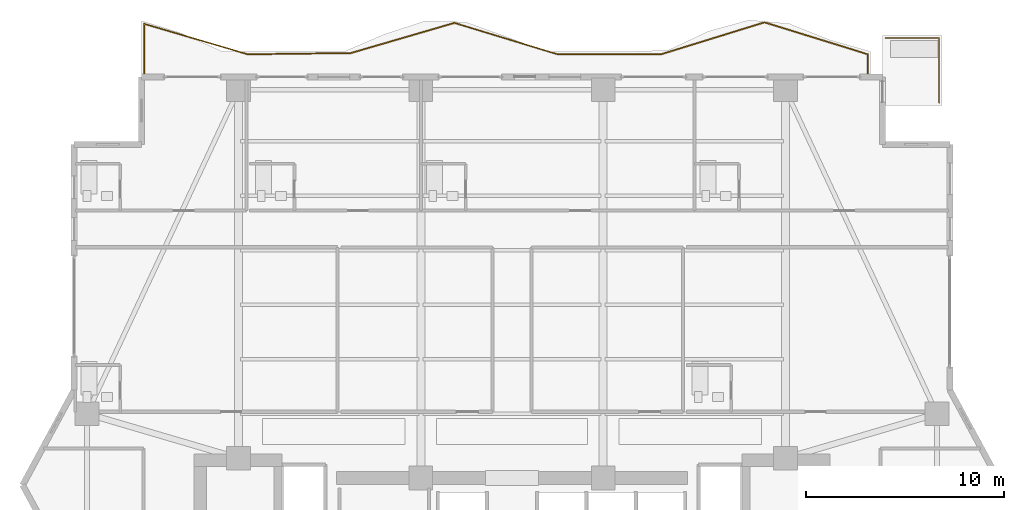
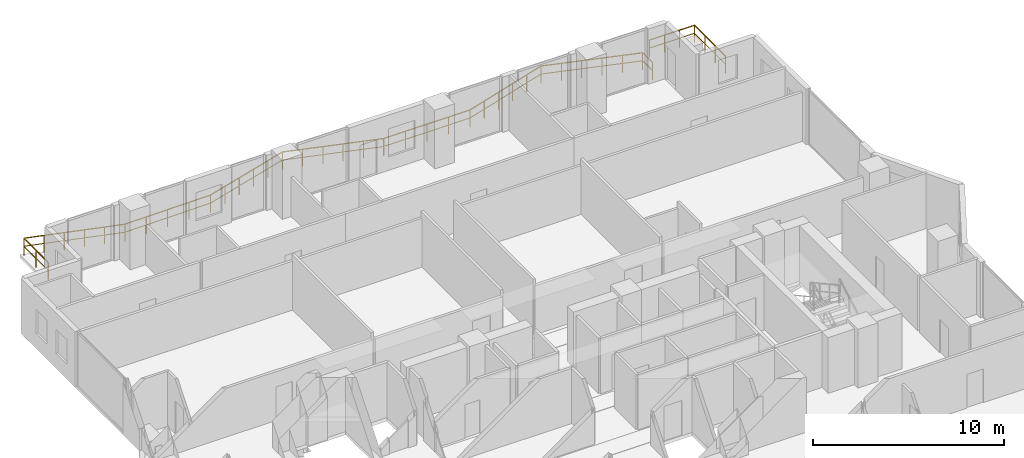
# One storey, part 32 of 33: 2 railings.
"""IFC4 building model written with IfcOpenShell, lengths in metres."""

from ifc_helpers import new_model, si_unit, direction, frame, origin, origin_2d, place, context, subcontext, project, spatial, rectangle, extrude, material, type_object, element, save


model = new_model("IFC4")

# Units and contexts
model_context = context("Model", 3, precision=1e-05, world=origin(), true_north=direction((0.0, 1.0)))
body_context = subcontext(model_context, "Body", "Model", "MODEL_VIEW")
ifc_project = project(units=[si_unit("LENGTHUNIT", "METRE"), si_unit("AREAUNIT", "SQUARE_METRE"), si_unit("VOLUMEUNIT", "CUBIC_METRE"), si_unit("PLANEANGLEUNIT", "RADIAN"), si_unit("MASSUNIT", "GRAM", prefix="KILO")], contexts=[model_context])

# Site, building, storey
site_placement = place(None, origin())
site = spatial("IfcSite", under=ifc_project, at=site_placement, CompositionType="ELEMENT")
building_placement = place(site_placement, origin())
building = spatial("IfcBuilding", under=site, at=building_placement, Name="Zuhayl Quay Hotel", CompositionType="ELEMENT")
storey_placement = place(building_placement, frame((0.0, 0.0, 214.89990234375)))
storey = spatial("IfcBuildingStorey", under=building, at=storey_placement, Name="L54", CompositionType="ELEMENT", Elevation=214.89990234375)

# Railings
ifc_material = material(Name="Anodised Aluminium and Laminated Glass", Category="aluminium")
railing_type = type_object("IfcRailingType", Name="RL_EXT_BAL_1100", PredefinedType="BALUSTRADE", material=ifc_material)
railing_1_placement = place(storey_placement, frame((-18.56005859375, 33.719970703125, 0.0)))
element("IfcRailing", 1, at=railing_1_placement, inside=storey, type_object=railing_type, Name="L54 Balcony and Terrace Guard GR_L54_BAL_N", PredefinedType="BALUSTRADE", context=body_context, shape_type="SweptSolid", body=[
    extrude(rectangle(XDim=0.048095703125, YDim=0.048095703125, at=origin_2d()), frame((0.0, 0.0, 1.09619140625), z_axis=(0.0, 1.0, 0.0), x_axis=(-1.0, 0.0, 0.0)), (0.0, 0.0, 1.0), 2.555908203125),
    extrude(rectangle(XDim=0.0361328125, YDim=0.0361328125, at=origin_2d()), frame((0.0, 0.0, 0.58251953125), z_axis=(0.0, 1.0, 0.0), x_axis=(-1.0, 0.0, 0.0)), (0.0, 0.0, 1.0), 2.555908203125),
    extrude(rectangle(XDim=0.048095703125, YDim=0.048095703125, at=origin_2d()), frame((0.0, 2.555908203125, 1.09619140625), z_axis=(0.959292556132, -0.282414220161, 0.0), x_axis=(0.282414220161, 0.959292556132, 0.0)), (0.0, 0.0, 1.0), 5.4384765625),
    extrude(rectangle(XDim=0.0361328125, YDim=0.0361328125, at=origin_2d()), frame((0.0, 2.555908203125, 0.58251953125), z_axis=(0.959292556132, -0.282414220161, 0.0), x_axis=(0.282414220161, 0.959292556132, 0.0)), (0.0, 0.0, 1.0), 5.4384765625),
    extrude(rectangle(XDim=0.048095703125, YDim=0.048095703125, at=origin_2d()), frame((5.217041015625, 1.02001953125, 1.09619140625), z_axis=(0.999920193825, 0.01263352608, 0.0), x_axis=(-0.01263352608, 0.999920193825, 0.0)), (0.0, 0.0, 1.0), 5.2177734375),
    extrude(rectangle(XDim=0.0361328125, YDim=0.0361328125, at=origin_2d()), frame((5.217041015625, 1.02001953125, 0.58251953125), z_axis=(0.999920193825, 0.01263352608, 0.0), x_axis=(-0.01263352608, 0.999920193825, 0.0)), (0.0, 0.0, 1.0), 5.2177734375),
    extrude(rectangle(XDim=0.048095703125, YDim=0.048095703125, at=origin_2d()), frame((10.434326171875, 1.0859375, 1.09619140625), z_axis=(0.960055834773, 0.279808495436, 0.0), x_axis=(-0.279808495436, 0.960055834773, 0.0)), (0.0, 0.0, 1.0), 5.43408203125),
    extrude(rectangle(XDim=0.0361328125, YDim=0.0361328125, at=origin_2d()), frame((10.434326171875, 1.0859375, 0.58251953125), z_axis=(0.960055834773, 0.279808495436, 0.0), x_axis=(-0.279808495436, 0.960055834773, 0.0)), (0.0, 0.0, 1.0), 5.43408203125),
    extrude(rectangle(XDim=0.048095703125, YDim=0.048095703125, at=origin_2d()), frame((15.6513671875, 2.6064453125, 1.09619140625), z_axis=(0.956747589549, -0.290919318526, 0.0), x_axis=(0.290919318526, 0.956747589549, 0.0)), (0.0, 0.0, 1.0), 5.453125),
    extrude(rectangle(XDim=0.0361328125, YDim=0.0361328125, at=origin_2d()), frame((15.6513671875, 2.6064453125, 0.58251953125), z_axis=(0.956747589549, -0.290919318526, 0.0), x_axis=(0.290919318526, 0.956747589549, 0.0)), (0.0, 0.0, 1.0), 5.453125),
    extrude(rectangle(XDim=0.048095703125, YDim=0.048095703125, at=origin_2d()), frame((20.86865234375, 1.02001953125, 1.09619140625), z_axis=(1.0, 0.0, 0.0), x_axis=(0.0, 1.0, 0.0)), (0.0, 0.0, 1.0), 5.217041015625),
    extrude(rectangle(XDim=0.0361328125, YDim=0.0361328125, at=origin_2d()), frame((20.86865234375, 1.02001953125, 0.58251953125), z_axis=(1.0, 0.0, 0.0), x_axis=(0.0, 1.0, 0.0)), (0.0, 0.0, 1.0), 5.217041015625),
    extrude(rectangle(XDim=0.048095703125, YDim=0.048095703125, at=origin_2d()), frame((26.085693359375, 1.02001953125, 1.09619140625), z_axis=(0.955317753575, 0.295580766806, 0.0), x_axis=(-0.295580766806, 0.955317753575, 0.0)), (0.0, 0.0, 1.0), 5.46142578125),
    extrude(rectangle(XDim=0.0361328125, YDim=0.0361328125, at=origin_2d()), frame((26.085693359375, 1.02001953125, 0.58251953125), z_axis=(0.955317753575, 0.295580766806, 0.0), x_axis=(-0.295580766806, 0.955317753575, 0.0)), (0.0, 0.0, 1.0), 5.46142578125),
    extrude(rectangle(XDim=0.048095703125, YDim=0.048095703125, at=origin_2d()), frame((31.302978515625, 2.63427734375, 1.09619140625), z_axis=(0.955313847653, -0.295593390457, 0.0), x_axis=(0.295593390457, 0.955313847653, 0.0)), (0.0, 0.0, 1.0), 5.461181640625),
    extrude(rectangle(XDim=0.0361328125, YDim=0.0361328125, at=origin_2d()), frame((31.302978515625, 2.63427734375, 0.58251953125), z_axis=(0.955313847653, -0.295593390457, 0.0), x_axis=(0.295593390457, 0.955313847653, 0.0)), (0.0, 0.0, 1.0), 5.461181640625),
    extrude(rectangle(XDim=0.048095703125, YDim=0.048095703125, at=origin_2d()), frame((36.52001953125, 1.02001953125, 1.09619140625), z_axis=(0.0, -1.0, 0.0), x_axis=(1.0, 0.0, 0.0)), (0.0, 0.0, 1.0), 1.02001953125),
    extrude(rectangle(XDim=0.0361328125, YDim=0.0361328125, at=origin_2d()), frame((36.52001953125, 1.02001953125, 0.58251953125), z_axis=(0.0, -1.0, 0.0), x_axis=(1.0, 0.0, 0.0)), (0.0, 0.0, 1.0), 1.02001953125),
    extrude(rectangle(XDim=0.0419921875, YDim=0.0419921875, at=origin_2d()), origin(), (0.0, 0.0, 1.0), 1.072021484375),
    extrude(rectangle(XDim=0.0419921875, YDim=0.0419921875, at=origin_2d()), frame((0.0, 1.27783203125, 0.0)), (0.0, 0.0, 1.0), 1.072021484375),
    extrude(rectangle(XDim=0.0419921875, YDim=0.0419921875, at=origin_2d()), frame((0.0, 2.555908203125, 0.0)), (0.0, 0.0, 1.0), 1.072021484375),
    extrude(rectangle(XDim=0.0419921875, YDim=0.0419921875, at=origin_2d()), frame((1.04345703125, 2.248779296875, 0.0)), (0.0, 0.0, 1.0), 1.072021484375),
    extrude(rectangle(XDim=0.0419921875, YDim=0.0419921875, at=origin_2d()), frame((2.0869140625, 1.941650390625, 0.0)), (0.0, 0.0, 1.0), 1.072021484375),
    extrude(rectangle(XDim=0.0419921875, YDim=0.0419921875, at=origin_2d()), frame((3.130126953125, 1.63427734375, 0.0)), (0.0, 0.0, 1.0), 1.072021484375),
    extrude(rectangle(XDim=0.0419921875, YDim=0.0419921875, at=origin_2d()), frame((4.173583984375, 1.3271484375, 0.0)), (0.0, 0.0, 1.0), 1.072021484375),
    extrude(rectangle(XDim=0.0419921875, YDim=0.0419921875, at=origin_2d()), frame((5.217041015625, 1.02001953125, 0.0)), (0.0, 0.0, 1.0), 1.072021484375),
    extrude(rectangle(XDim=0.0419921875, YDim=0.0419921875, at=origin_2d()), frame((6.521484375, 1.03662109375, 0.0)), (0.0, 0.0, 1.0), 1.072021484375),
    extrude(rectangle(XDim=0.0419921875, YDim=0.0419921875, at=origin_2d()), frame((7.82568359375, 1.052978515625, 0.0)), (0.0, 0.0, 1.0), 1.072021484375),
    extrude(rectangle(XDim=0.0419921875, YDim=0.0419921875, at=origin_2d()), frame((9.1298828125, 1.0693359375, 0.0)), (0.0, 0.0, 1.0), 1.072021484375),
    extrude(rectangle(XDim=0.0419921875, YDim=0.0419921875, at=origin_2d()), frame((10.434326171875, 1.0859375, 0.0)), (0.0, 0.0, 1.0), 1.072021484375),
    extrude(rectangle(XDim=0.0419921875, YDim=0.0419921875, at=origin_2d()), frame((11.477783203125, 1.39013671875, 0.0)), (0.0, 0.0, 1.0), 1.072021484375),
    extrude(rectangle(XDim=0.0419921875, YDim=0.0419921875, at=origin_2d()), frame((12.521240234375, 1.694091796875, 0.0)), (0.0, 0.0, 1.0), 1.072021484375),
    extrude(rectangle(XDim=0.0419921875, YDim=0.0419921875, at=origin_2d()), frame((13.564453125, 1.998291015625, 0.0)), (0.0, 0.0, 1.0), 1.072021484375),
    extrude(rectangle(XDim=0.0419921875, YDim=0.0419921875, at=origin_2d()), frame((14.60791015625, 2.30224609375, 0.0)), (0.0, 0.0, 1.0), 1.072021484375),
    extrude(rectangle(XDim=0.0419921875, YDim=0.0419921875, at=origin_2d()), frame((15.6513671875, 2.6064453125, 0.0)), (0.0, 0.0, 1.0), 1.072021484375),
    extrude(rectangle(XDim=0.0419921875, YDim=0.0419921875, at=origin_2d()), frame((16.69482421875, 2.2890625, 0.0)), (0.0, 0.0, 1.0), 1.072021484375),
    extrude(rectangle(XDim=0.0419921875, YDim=0.0419921875, at=origin_2d()), frame((17.73828125, 1.971923828125, 0.0)), (0.0, 0.0, 1.0), 1.072021484375),
    extrude(rectangle(XDim=0.0419921875, YDim=0.0419921875, at=origin_2d()), frame((18.78173828125, 1.654541015625, 0.0)), (0.0, 0.0, 1.0), 1.072021484375),
    extrude(rectangle(XDim=0.0419921875, YDim=0.0419921875, at=origin_2d()), frame((19.8251953125, 1.33740234375, 0.0)), (0.0, 0.0, 1.0), 1.072021484375),
    extrude(rectangle(XDim=0.0419921875, YDim=0.0419921875, at=origin_2d()), frame((20.86865234375, 1.02001953125, 0.0)), (0.0, 0.0, 1.0), 1.072021484375),
    extrude(rectangle(XDim=0.0419921875, YDim=0.0419921875, at=origin_2d()), frame((22.1728515625, 1.02001953125, 0.0)), (0.0, 0.0, 1.0), 1.072021484375),
    extrude(rectangle(XDim=0.0419921875, YDim=0.0419921875, at=origin_2d()), frame((23.47705078125, 1.02001953125, 0.0)), (0.0, 0.0, 1.0), 1.072021484375),
    extrude(rectangle(XDim=0.0419921875, YDim=0.0419921875, at=origin_2d()), frame((24.781494140625, 1.02001953125, 0.0)), (0.0, 0.0, 1.0), 1.072021484375),
    extrude(rectangle(XDim=0.0419921875, YDim=0.0419921875, at=origin_2d()), frame((26.085693359375, 1.02001953125, 0.0)), (0.0, 0.0, 1.0), 1.072021484375),
    extrude(rectangle(XDim=0.0419921875, YDim=0.0419921875, at=origin_2d()), frame((27.129150390625, 1.3427734375, 0.0)), (0.0, 0.0, 1.0), 1.072021484375),
    extrude(rectangle(XDim=0.0419921875, YDim=0.0419921875, at=origin_2d()), frame((28.172607421875, 1.665771484375, 0.0)), (0.0, 0.0, 1.0), 1.072021484375),
    extrude(rectangle(XDim=0.0419921875, YDim=0.0419921875, at=origin_2d()), frame((29.216064453125, 1.988525390625, 0.0)), (0.0, 0.0, 1.0), 1.072021484375),
    extrude(rectangle(XDim=0.0419921875, YDim=0.0419921875, at=origin_2d()), frame((30.259521484375, 2.3115234375, 0.0)), (0.0, 0.0, 1.0), 1.072021484375),
    extrude(rectangle(XDim=0.0419921875, YDim=0.0419921875, at=origin_2d()), frame((31.302978515625, 2.63427734375, 0.0)), (0.0, 0.0, 1.0), 1.072021484375),
    extrude(rectangle(XDim=0.0419921875, YDim=0.0419921875, at=origin_2d()), frame((32.346435546875, 2.3115234375, 0.0)), (0.0, 0.0, 1.0), 1.072021484375),
    extrude(rectangle(XDim=0.0419921875, YDim=0.0419921875, at=origin_2d()), frame((33.389892578125, 1.988525390625, 0.0)), (0.0, 0.0, 1.0), 1.072021484375),
    extrude(rectangle(XDim=0.0419921875, YDim=0.0419921875, at=origin_2d()), frame((34.43310546875, 1.665771484375, 0.0)), (0.0, 0.0, 1.0), 1.072021484375),
    extrude(rectangle(XDim=0.0419921875, YDim=0.0419921875, at=origin_2d()), frame((35.4765625, 1.3427734375, 0.0)), (0.0, 0.0, 1.0), 1.072021484375),
    extrude(rectangle(XDim=0.0419921875, YDim=0.0419921875, at=origin_2d()), frame((36.52001953125, 1.02001953125, 0.0)), (0.0, 0.0, 1.0), 1.072021484375),
    extrude(rectangle(XDim=0.0419921875, YDim=0.0419921875, at=origin_2d()), frame((36.52001953125, 0.0, 0.0)), (0.0, 0.0, 1.0), 1.072021484375),
])
railing_2_placement = place(storey_placement, frame((21.56005859375, 32.2900390625, 0.0)))
element("IfcRailing", 2, at=railing_2_placement, inside=storey, type_object=railing_type, Name="L54 Balcony and Terrace Guard GR_L54_SPIRAL_NE", PredefinedType="BALUSTRADE", context=body_context, shape_type="SweptSolid", body=[
    extrude(rectangle(XDim=0.048095703125, YDim=0.048095703125, at=origin_2d()), frame((0.0, 0.0, 1.09619140625), z_axis=(0.0, 1.0, 0.0), x_axis=(-1.0, 0.0, 0.0)), (0.0, 0.0, 1.0), 3.27001953125),
    extrude(rectangle(XDim=0.0361328125, YDim=0.0361328125, at=origin_2d()), frame((0.0, 0.0, 0.58251953125), z_axis=(0.0, 1.0, 0.0), x_axis=(-1.0, 0.0, 0.0)), (0.0, 0.0, 1.0), 3.27001953125),
    extrude(rectangle(XDim=0.048095703125, YDim=0.048095703125, at=origin_2d()), frame((0.0, 3.27001953125, 1.09619140625), z_axis=(-1.0, 0.0, 0.0), x_axis=(0.0, -1.0, 0.0)), (0.0, 0.0, 1.0), 2.719970703125),
    extrude(rectangle(XDim=0.0361328125, YDim=0.0361328125, at=origin_2d()), frame((0.0, 3.27001953125, 0.58251953125), z_axis=(-1.0, 0.0, 0.0), x_axis=(0.0, -1.0, 0.0)), (0.0, 0.0, 1.0), 2.719970703125),
    extrude(rectangle(XDim=0.0419921875, YDim=0.0419921875, at=origin_2d()), origin(), (0.0, 0.0, 1.0), 1.072021484375),
    extrude(rectangle(XDim=0.0419921875, YDim=0.0419921875, at=origin_2d()), frame((0.0, 1.090087890625, 0.0)), (0.0, 0.0, 1.0), 1.072021484375),
    extrude(rectangle(XDim=0.0419921875, YDim=0.0419921875, at=origin_2d()), frame((0.0, 2.179931640625, 0.0)), (0.0, 0.0, 1.0), 1.072021484375),
    extrude(rectangle(XDim=0.0419921875, YDim=0.0419921875, at=origin_2d()), frame((0.0, 3.27001953125, 0.0)), (0.0, 0.0, 1.0), 1.072021484375),
    extrude(rectangle(XDim=0.0419921875, YDim=0.0419921875, at=origin_2d()), frame((-0.90673828125, 3.27001953125, 0.0)), (0.0, 0.0, 1.0), 1.072021484375),
    extrude(rectangle(XDim=0.0419921875, YDim=0.0419921875, at=origin_2d()), frame((-1.813232421875, 3.27001953125, 0.0)), (0.0, 0.0, 1.0), 1.072021484375),
    extrude(rectangle(XDim=0.0419921875, YDim=0.0419921875, at=origin_2d()), frame((-2.719970703125, 3.27001953125, 0.0)), (0.0, 0.0, 1.0), 1.072021484375),
])

save(model, "model.ifc")
